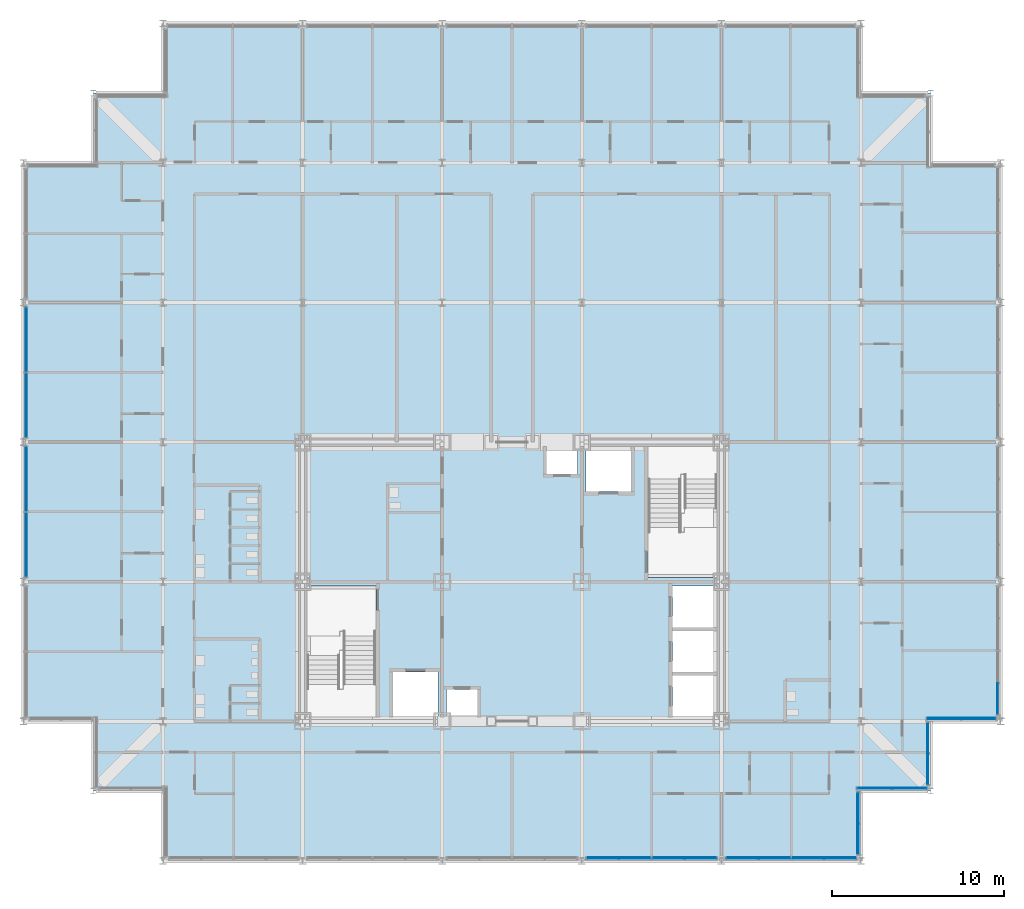
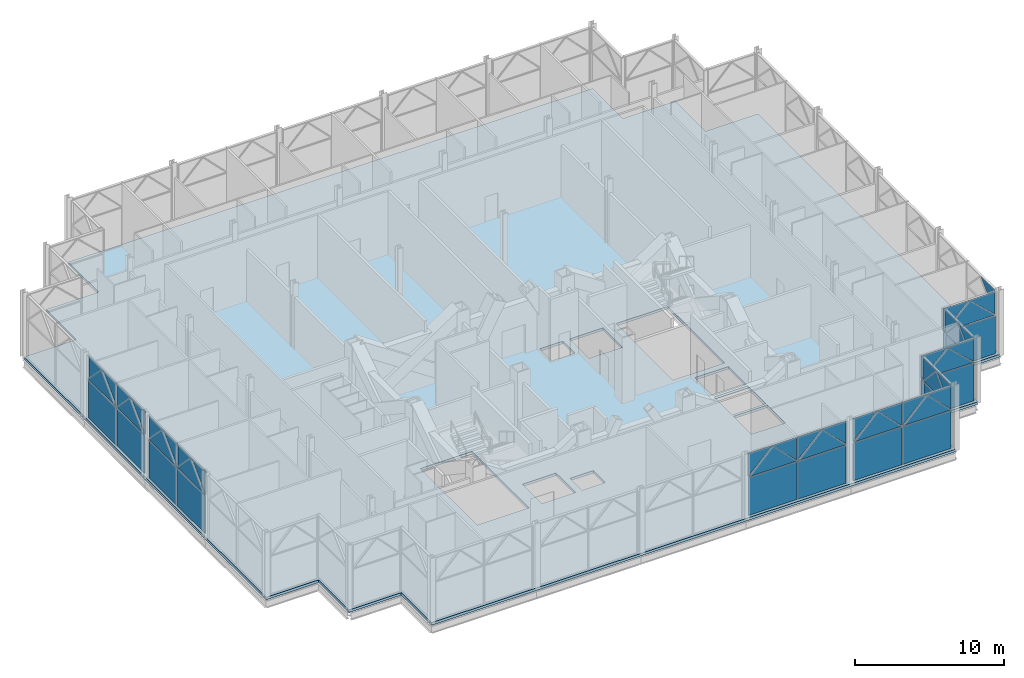
# One storey, part 15 of 26: 49 plates, 1 slab, 9 elements without a shape of their own.
"""IFC4 building model written with IfcOpenShell, lengths in metres."""

from ifc_helpers import new_model, si_unit, direction, frame, origin, origin_2d, place, context, subcontext, project, spatial, polyline, rectangle, outline, extrude, material, layer, layer_set, type_object, element, aggregate, save


model = new_model("IFC4")

# Units and contexts
model_context = context("Model", 3, precision=1e-05, world=origin(), true_north=direction((0.0, 1.0)))
body_context = subcontext(model_context, "Body", "Model", "MODEL_VIEW")
ifc_project = project(units=[si_unit("LENGTHUNIT", "METRE"), si_unit("AREAUNIT", "SQUARE_METRE"), si_unit("VOLUMEUNIT", "CUBIC_METRE"), si_unit("PLANEANGLEUNIT", "RADIAN"), si_unit("MASSUNIT", "GRAM", prefix="KILO")], contexts=[model_context])

# Site, building, storey
site_placement = place(None, origin())
site = spatial("IfcSite", under=ifc_project, at=site_placement, CompositionType="ELEMENT")
building_placement = place(site_placement, origin())
building = spatial("IfcBuilding", under=site, at=building_placement, Name="Kopane Lantern Tower", CompositionType="ELEMENT")
storey_placement = place(building_placement, frame((0.0, 0.0, 293.10009765625)))
storey = spatial("IfcBuildingStorey", under=building, at=storey_placement, Name="L75", CompositionType="ELEMENT", Elevation=293.10009765625)

# Curtain wall, plates
ifc_material_1 = material(Name="Aluminium and clear glass", Category="aluminium")
curtain_wall_type = type_object("IfcCurtainWallType", Name="CURTAIN WALL CW5 SKY RESTAURANT", PredefinedType="USERDEFINED", material=ifc_material_1)
curtain_wall_1_placement = place(storey_placement, origin())
curtain_wall_1 = element("IfcCurtainWall", 1, at=curtain_wall_1_placement, inside=storey, type_object=curtain_wall_type, Name="Curtain wall CW5 S L75", ObjectType="CURTAIN WALL", PredefinedType="USERDEFINED")
ifc_material_2 = material(Name="Insulated clear glass unit", Category="glass")
ifc_layer_1 = layer(ifc_material_2, 0.035888671875)
ifc_layer_set_1 = layer_set([ifc_layer_1], Name="CURTAIN PANEL CW5-P 36")
plate_type = type_object("IfcPlateType", Name="CURTAIN PANEL CW5-P 36", PredefinedType="CURTAIN_PANEL", material=ifc_layer_set_1)
plate_1_placement = place(storey_placement, frame((34.5458984375, 16.35009765625, 0.0751953125), z_axis=(0.0, 0.0, 1.0), x_axis=(1.0, 0.0, 0.0)))
plate_1 = element("IfcPlate", 2, at=plate_1_placement, type_object=plate_type, Name="CW5 panel 1.1", PredefinedType="CURTAIN_PANEL", context=body_context, shape_type="SweptSolid", body=[
    extrude(rectangle(XDim=3.73291015625, YDim=0.035888671875, at=origin_2d()), origin(), (0.0, 0.0, 1.0), 3.077392578125),
])
plate_2_placement = place(storey_placement, frame((38.35400390625, 16.35009765625, 0.0751953125), z_axis=(0.0, 0.0, 1.0), x_axis=(1.0, 0.0, 0.0)))
plate_2 = element("IfcPlate", 3, at=plate_2_placement, type_object=plate_type, Name="CW5 panel 2.1", PredefinedType="CURTAIN_PANEL", context=body_context, shape_type="SweptSolid", body=[
    extrude(rectangle(XDim=3.73291015625, YDim=0.035888671875, at=origin_2d()), origin(), (0.0, 0.0, 1.0), 3.077392578125),
])
plate_3_placement = place(storey_placement, frame((32.679443359375, 16.35009765625, 3.227294921875), z_axis=(0.0, 0.0, 1.0), x_axis=(1.0, 0.0, 0.0)))
plate_3 = element("IfcPlate", 4, at=plate_3_placement, type_object=plate_type, Name="CW5 lancet panel 1", PredefinedType="CURTAIN_PANEL", context=body_context, shape_type="SweptSolid", body=[
    extrude(outline(polyline([(0.0, 0.0), (3.733154296875, 0.0), (3.73291015625, 0.001220703125), (1.866455078125, 1.888916015625), (0.0, 0.001220703125), (0.0, 0.0)])), frame((0.0, 0.01806640625, 0.0), z_axis=(0.0, -1.0, 0.0), x_axis=(1.0, 0.0, 0.0)), (0.0, 0.0, 1.0), 0.035888671875),
])
plate_4_placement = place(storey_placement, frame((32.679443359375, 16.387939453125, 5.114990234375), z_axis=(0.0, 0.0, 1.0), x_axis=(1.0, 0.0, 0.0)))
plate_4 = element("IfcPlate", 5, at=plate_4_placement, type_object=plate_type, Name="CW5 spandrel panel 1L", PredefinedType="CURTAIN_PANEL", context=body_context, shape_type="SweptSolid", body=[
    extrude(outline(polyline([(0.0, 0.0), (1.866455078125, 0.0), (1.866455078125, -0.0009765625), (0.0, -1.8349609375), (0.0, 0.0)])), frame((0.0, 0.01806640625, 0.0), z_axis=(0.0, -1.0, 0.0), x_axis=(1.0, 0.0, 0.0)), (0.0, 0.0, 1.0), 0.035888671875),
])
plate_5_placement = place(storey_placement, frame((36.41259765625, 16.387939453125, 5.114990234375), z_axis=(0.0, 0.0, 1.0), x_axis=(-1.0, 0.0, 0.0)))
plate_5 = element("IfcPlate", 6, at=plate_5_placement, type_object=plate_type, Name="CW5 spandrel panel 1R", PredefinedType="CURTAIN_PANEL", context=body_context, shape_type="SweptSolid", body=[
    extrude(outline(polyline([(0.0, 0.0), (1.86669921875, 0.0), (1.866455078125, -0.0009765625), (0.0, -1.8349609375), (0.0, 0.0)])), frame((0.0, 0.01806640625, 0.0), z_axis=(0.0, -1.0, 0.0), x_axis=(1.0, 0.0, 0.0)), (0.0, 0.0, 1.0), 0.035888671875),
])
plate_6_placement = place(storey_placement, frame((36.487548828125, 16.35009765625, 3.227294921875), z_axis=(0.0, 0.0, 1.0), x_axis=(1.0, 0.0, 0.0)))
plate_6 = element("IfcPlate", 7, at=plate_6_placement, type_object=plate_type, Name="CW5 lancet panel 2", PredefinedType="CURTAIN_PANEL", context=body_context, shape_type="SweptSolid", body=[
    extrude(outline(polyline([(0.0, 0.0), (3.73291015625, 0.0), (3.73291015625, 0.001220703125), (1.866455078125, 1.888916015625), (0.0, 0.001220703125), (0.0, 0.0)])), frame((0.0, 0.01806640625, 0.0), z_axis=(0.0, -1.0, 0.0), x_axis=(1.0, 0.0, 0.0)), (0.0, 0.0, 1.0), 0.035888671875),
])
plate_7_placement = place(storey_placement, frame((36.487548828125, 16.387939453125, 5.114990234375), z_axis=(0.0, 0.0, 1.0), x_axis=(1.0, 0.0, 0.0)))
plate_7 = element("IfcPlate", 8, at=plate_7_placement, type_object=plate_type, Name="CW5 spandrel panel 2L", PredefinedType="CURTAIN_PANEL", context=body_context, shape_type="SweptSolid", body=[
    extrude(outline(polyline([(0.0, 0.0), (1.866455078125, 0.0), (1.866455078125, -0.0009765625), (0.0, -1.8349609375), (0.0, 0.0)])), frame((0.0, 0.01806640625, 0.0), z_axis=(0.0, -1.0, 0.0), x_axis=(1.0, 0.0, 0.0)), (0.0, 0.0, 1.0), 0.035888671875),
])
plate_8_placement = place(storey_placement, frame((40.220458984375, 16.387939453125, 5.114990234375), z_axis=(0.0, 0.0, 1.0), x_axis=(-1.0, 0.0, 0.0)))
plate_8 = element("IfcPlate", 9, at=plate_8_placement, type_object=plate_type, Name="CW5 spandrel panel 2R", PredefinedType="CURTAIN_PANEL", context=body_context, shape_type="SweptSolid", body=[
    extrude(outline(polyline([(0.0, 0.0), (1.866455078125, 0.0), (1.866455078125, -0.0009765625), (0.0, -1.8349609375), (0.0, 0.0)])), frame((0.0, 0.01806640625, 0.0), z_axis=(0.0, -1.0, 0.0), x_axis=(1.0, 0.0, 0.0)), (0.0, 0.0, 1.0), 0.035888671875),
])
aggregate(curtain_wall_1, [plate_1, plate_2, plate_3, plate_4, plate_5, plate_6, plate_7, plate_8])

curtain_wall_2_placement = place(storey_placement, origin())
curtain_wall_2 = element("IfcCurtainWall", 10, at=curtain_wall_2_placement, inside=storey, type_object=curtain_wall_type, Name="Curtain wall CW5 S L75", ObjectType="CURTAIN WALL", PredefinedType="USERDEFINED")
plate_9_placement = place(storey_placement, frame((42.64599609375, 16.35009765625, 0.0751953125), z_axis=(0.0, 0.0, 1.0), x_axis=(1.0, 0.0, 0.0)))
plate_9 = element("IfcPlate", 11, at=plate_9_placement, type_object=plate_type, Name="CW5 panel 1.1", PredefinedType="CURTAIN_PANEL", context=body_context, shape_type="SweptSolid", body=[
    extrude(rectangle(XDim=3.73291015625, YDim=0.035888671875, at=origin_2d()), origin(), (0.0, 0.0, 1.0), 3.077392578125),
])
plate_10_placement = place(storey_placement, frame((46.4541015625, 16.35009765625, 0.0751953125), z_axis=(0.0, 0.0, 1.0), x_axis=(1.0, 0.0, 0.0)))
plate_10 = element("IfcPlate", 12, at=plate_10_placement, type_object=plate_type, Name="CW5 panel 2.1", PredefinedType="CURTAIN_PANEL", context=body_context, shape_type="SweptSolid", body=[
    extrude(rectangle(XDim=3.73291015625, YDim=0.035888671875, at=origin_2d()), origin(), (0.0, 0.0, 1.0), 3.077392578125),
])
plate_11_placement = place(storey_placement, frame((40.779541015625, 16.35009765625, 3.227294921875), z_axis=(0.0, 0.0, 1.0), x_axis=(1.0, 0.0, 0.0)))
plate_11 = element("IfcPlate", 13, at=plate_11_placement, type_object=plate_type, Name="CW5 lancet panel 1", PredefinedType="CURTAIN_PANEL", context=body_context, shape_type="SweptSolid", body=[
    extrude(outline(polyline([(0.0, 0.0), (3.73291015625, 0.0), (3.73291015625, 0.001220703125), (1.866455078125, 1.888916015625), (0.0, 0.001220703125), (0.0, 0.0)])), frame((0.0, 0.01806640625, 0.0), z_axis=(0.0, -1.0, 0.0), x_axis=(1.0, 0.0, 0.0)), (0.0, 0.0, 1.0), 0.035888671875),
])
plate_12_placement = place(storey_placement, frame((40.779541015625, 16.387939453125, 5.114990234375), z_axis=(0.0, 0.0, 1.0), x_axis=(1.0, 0.0, 0.0)))
plate_12 = element("IfcPlate", 14, at=plate_12_placement, type_object=plate_type, Name="CW5 spandrel panel 1L", PredefinedType="CURTAIN_PANEL", context=body_context, shape_type="SweptSolid", body=[
    extrude(outline(polyline([(0.0, 0.0), (1.866455078125, 0.0), (1.866455078125, -0.0009765625), (0.0, -1.8349609375), (0.0, 0.0)])), frame((0.0, 0.01806640625, 0.0), z_axis=(0.0, -1.0, 0.0), x_axis=(1.0, 0.0, 0.0)), (0.0, 0.0, 1.0), 0.035888671875),
])
plate_13_placement = place(storey_placement, frame((44.512451171875, 16.387939453125, 5.114990234375), z_axis=(0.0, 0.0, 1.0), x_axis=(-1.0, 0.0, 0.0)))
plate_13 = element("IfcPlate", 15, at=plate_13_placement, type_object=plate_type, Name="CW5 spandrel panel 1R", PredefinedType="CURTAIN_PANEL", context=body_context, shape_type="SweptSolid", body=[
    extrude(outline(polyline([(0.0, 0.0), (1.866455078125, 0.0), (1.866455078125, -0.0009765625), (0.0, -1.8349609375), (0.0, 0.0)])), frame((0.0, 0.01806640625, 0.0), z_axis=(0.0, -1.0, 0.0), x_axis=(1.0, 0.0, 0.0)), (0.0, 0.0, 1.0), 0.035888671875),
])
plate_14_placement = place(storey_placement, frame((44.58740234375, 16.35009765625, 3.227294921875), z_axis=(0.0, 0.0, 1.0), x_axis=(1.0, 0.0, 0.0)))
plate_14 = element("IfcPlate", 16, at=plate_14_placement, type_object=plate_type, Name="CW5 lancet panel 2", PredefinedType="CURTAIN_PANEL", context=body_context, shape_type="SweptSolid", body=[
    extrude(outline(polyline([(0.0, 0.0), (3.733154296875, 0.0), (3.73291015625, 0.001220703125), (1.866455078125, 1.888916015625), (0.0, 0.001220703125), (0.0, 0.0)])), frame((0.0, 0.01806640625, 0.0), z_axis=(0.0, -1.0, 0.0), x_axis=(1.0, 0.0, 0.0)), (0.0, 0.0, 1.0), 0.035888671875),
])
plate_15_placement = place(storey_placement, frame((44.58740234375, 16.387939453125, 5.114990234375), z_axis=(0.0, 0.0, 1.0), x_axis=(1.0, 0.0, 0.0)))
plate_15 = element("IfcPlate", 17, at=plate_15_placement, type_object=plate_type, Name="CW5 spandrel panel 2L", PredefinedType="CURTAIN_PANEL", context=body_context, shape_type="SweptSolid", body=[
    extrude(outline(polyline([(0.0, 0.0), (1.86669921875, 0.0), (1.866455078125, -0.0009765625), (0.0, -1.8349609375), (0.0, 0.0)])), frame((0.0, 0.01806640625, 0.0), z_axis=(0.0, -1.0, 0.0), x_axis=(1.0, 0.0, 0.0)), (0.0, 0.0, 1.0), 0.035888671875),
])
plate_16_placement = place(storey_placement, frame((48.320556640625, 16.387939453125, 5.114990234375), z_axis=(0.0, 0.0, 1.0), x_axis=(-1.0, 0.0, 0.0)))
plate_16 = element("IfcPlate", 18, at=plate_16_placement, type_object=plate_type, Name="CW5 spandrel panel 2R", PredefinedType="CURTAIN_PANEL", context=body_context, shape_type="SweptSolid", body=[
    extrude(outline(polyline([(0.0, 0.0), (1.866455078125, 0.0), (1.866455078125, -0.0009765625), (0.0, -1.8349609375), (0.0, 0.0)])), frame((0.0, 0.01806640625, 0.0), z_axis=(0.0, -1.0, 0.0), x_axis=(1.0, 0.0, 0.0)), (0.0, 0.0, 1.0), 0.035888671875),
])
aggregate(curtain_wall_2, [plate_9, plate_10, plate_11, plate_12, plate_13, plate_14, plate_15, plate_16])

curtain_wall_3_placement = place(storey_placement, origin())
curtain_wall_3 = element("IfcCurtainWall", 19, at=curtain_wall_3_placement, inside=storey, type_object=curtain_wall_type, Name="Curtain wall CW5 E L75", ObjectType="CURTAIN WALL", PredefinedType="USERDEFINED")
plate_17_placement = place(storey_placement, frame((48.449951171875, 18.375, 0.0751953125), z_axis=(0.0, 0.0, 1.0), x_axis=(0.0, 1.0, 0.0)))
plate_17 = element("IfcPlate", 20, at=plate_17_placement, type_object=plate_type, Name="CW5 panel 1.1", PredefinedType="CURTAIN_PANEL", context=body_context, shape_type="SweptSolid", body=[
    extrude(rectangle(XDim=3.60009765625, YDim=0.035888671875, at=origin_2d()), origin(), (0.0, 0.0, 1.0), 3.077392578125),
])
plate_18_placement = place(storey_placement, frame((48.449951171875, 16.574951171875, 3.227294921875), z_axis=(0.0, 0.0, 1.0), x_axis=(0.0, 1.0, 0.0)))
plate_18 = element("IfcPlate", 21, at=plate_18_placement, type_object=plate_type, Name="CW5 lancet panel 1", PredefinedType="CURTAIN_PANEL", context=body_context, shape_type="SweptSolid", body=[
    extrude(outline(polyline([(0.0, 0.0), (3.60009765625, 0.0), (3.60009765625, 0.001220703125), (1.800048828125, 1.89306640625), (0.0, 0.001220703125), (0.0, 0.0)])), frame((0.0, 0.01806640625, 0.0), z_axis=(0.0, -1.0, 0.0), x_axis=(1.0, 0.0, 0.0)), (0.0, 0.0, 1.0), 0.035888671875),
])
plate_19_placement = place(storey_placement, frame((48.412109375, 16.574951171875, 5.114990234375), z_axis=(0.0, 0.0, 1.0), x_axis=(0.0, 1.0, 0.0)))
plate_19 = element("IfcPlate", 22, at=plate_19_placement, type_object=plate_type, Name="CW5 spandrel panel 1L", PredefinedType="CURTAIN_PANEL", context=body_context, shape_type="SweptSolid", body=[
    extrude(outline(polyline([(0.0, 0.0), (1.800048828125, 0.0), (1.800048828125, -0.0009765625), (0.0, -1.8359375), (0.0, 0.0)])), frame((0.0, 0.01806640625, 0.0), z_axis=(0.0, -1.0, 0.0), x_axis=(1.0, 0.0, 0.0)), (0.0, 0.0, 1.0), 0.035888671875),
])
plate_20_placement = place(storey_placement, frame((48.412109375, 20.175048828125, 5.114990234375), z_axis=(0.0, 0.0, 1.0), x_axis=(0.0, -1.0, 0.0)))
plate_20 = element("IfcPlate", 23, at=plate_20_placement, type_object=plate_type, Name="CW5 spandrel panel 1R", PredefinedType="CURTAIN_PANEL", context=body_context, shape_type="SweptSolid", body=[
    extrude(outline(polyline([(0.0, 0.0), (1.800048828125, 0.0), (1.800048828125, -0.0009765625), (0.0, -1.8359375), (0.0, 0.0)])), frame((0.0, 0.01806640625, 0.0), z_axis=(0.0, -1.0, 0.0), x_axis=(1.0, 0.0, 0.0)), (0.0, 0.0, 1.0), 0.035888671875),
])
aggregate(curtain_wall_3, [plate_17, plate_18, plate_19, plate_20])

curtain_wall_4_placement = place(storey_placement, origin())
curtain_wall_4 = element("IfcCurtainWall", 24, at=curtain_wall_4_placement, inside=storey, type_object=curtain_wall_type, Name="Curtain wall CW5 S L75", ObjectType="CURTAIN WALL", PredefinedType="USERDEFINED")
plate_21_placement = place(storey_placement, frame((50.395751953125, 20.39990234375, 0.0751953125), z_axis=(0.0, 0.0, 1.0), x_axis=(1.0, 0.0, 0.0)))
plate_21 = element("IfcPlate", 25, at=plate_21_placement, type_object=plate_type, Name="CW5 panel 1.1", PredefinedType="CURTAIN_PANEL", context=body_context, shape_type="SweptSolid", body=[
    extrude(rectangle(XDim=4.041259765625, YDim=0.035888671875, at=origin_2d()), origin(), (0.0, 0.0, 1.0), 3.077392578125),
])
plate_22_placement = place(storey_placement, frame((48.375, 20.39990234375, 3.227294921875), z_axis=(0.0, 0.0, 1.0), x_axis=(1.0, 0.0, 0.0)))
plate_22 = element("IfcPlate", 26, at=plate_22_placement, type_object=plate_type, Name="CW5 lancet panel 1", PredefinedType="CURTAIN_PANEL", context=body_context, shape_type="SweptSolid", body=[
    extrude(outline(polyline([(0.0, 0.0), (4.041259765625, 0.0), (4.041259765625, 0.001220703125), (2.020751953125, 1.880126953125), (0.0, 0.001220703125), (0.0, 0.0)])), frame((0.0, 0.01806640625, 0.0), z_axis=(0.0, -1.0, 0.0), x_axis=(1.0, 0.0, 0.0)), (0.0, 0.0, 1.0), 0.035888671875),
])
plate_23_placement = place(storey_placement, frame((48.375, 20.43798828125, 5.114990234375), z_axis=(0.0, 0.0, 1.0), x_axis=(1.0, 0.0, 0.0)))
plate_23 = element("IfcPlate", 27, at=plate_23_placement, type_object=plate_type, Name="CW5 spandrel panel 1L", PredefinedType="CURTAIN_PANEL", context=body_context, shape_type="SweptSolid", body=[
    extrude(outline(polyline([(0.0, 0.0), (2.020751953125, 0.0), (2.020751953125, -0.0009765625), (0.0, -1.832763671875), (0.0, 0.0)])), frame((0.0, 0.01806640625, 0.0), z_axis=(0.0, -1.0, 0.0), x_axis=(1.0, 0.0, 0.0)), (0.0, 0.0, 1.0), 0.035888671875),
])
plate_24_placement = place(storey_placement, frame((52.416259765625, 20.43798828125, 5.114990234375), z_axis=(0.0, 0.0, 1.0), x_axis=(-1.0, 0.0, 0.0)))
plate_24 = element("IfcPlate", 28, at=plate_24_placement, type_object=plate_type, Name="CW5 spandrel panel 1R", PredefinedType="CURTAIN_PANEL", context=body_context, shape_type="SweptSolid", body=[
    extrude(outline(polyline([(0.0, 0.0), (2.0205078125, 0.0), (2.020751953125, -0.0009765625), (0.0, -1.832763671875), (0.0, 0.0)])), frame((0.0, 0.01806640625, 0.0), z_axis=(0.0, -1.0, 0.0), x_axis=(1.0, 0.0, 0.0)), (0.0, 0.0, 1.0), 0.035888671875),
])
aggregate(curtain_wall_4, [plate_21, plate_22, plate_23, plate_24])

curtain_wall_5_placement = place(storey_placement, origin())
curtain_wall_5 = element("IfcCurtainWall", 29, at=curtain_wall_5_placement, inside=storey, type_object=curtain_wall_type, Name="Curtain wall CW5 E L75", ObjectType="CURTAIN WALL", PredefinedType="USERDEFINED")
plate_25_placement = place(storey_placement, frame((52.5, 22.425048828125, 0.0751953125), z_axis=(0.0, 0.0, 1.0), x_axis=(0.0, 1.0, 0.0)))
plate_25 = element("IfcPlate", 30, at=plate_25_placement, type_object=plate_type, Name="CW5 panel 1.1", PredefinedType="CURTAIN_PANEL", context=body_context, shape_type="SweptSolid", body=[
    extrude(rectangle(XDim=3.60009765625, YDim=0.035888671875, at=origin_2d()), origin(), (0.0, 0.0, 1.0), 3.077392578125),
])
plate_26_placement = place(storey_placement, frame((52.5, 20.625, 3.227294921875), z_axis=(0.0, 0.0, 1.0), x_axis=(0.0, 1.0, 0.0)))
plate_26 = element("IfcPlate", 31, at=plate_26_placement, type_object=plate_type, Name="CW5 lancet panel 1", PredefinedType="CURTAIN_PANEL", context=body_context, shape_type="SweptSolid", body=[
    extrude(outline(polyline([(0.0, 0.0), (3.60009765625, 0.0), (3.60009765625, 0.001220703125), (1.800048828125, 1.89306640625), (0.0, 0.001220703125), (0.0, 0.0)])), frame((0.0, 0.01806640625, 0.0), z_axis=(0.0, -1.0, 0.0), x_axis=(1.0, 0.0, 0.0)), (0.0, 0.0, 1.0), 0.035888671875),
])
plate_27_placement = place(storey_placement, frame((52.4619140625, 20.625, 5.114990234375), z_axis=(0.0, 0.0, 1.0), x_axis=(0.0, 1.0, 0.0)))
plate_27 = element("IfcPlate", 32, at=plate_27_placement, type_object=plate_type, Name="CW5 spandrel panel 1L", PredefinedType="CURTAIN_PANEL", context=body_context, shape_type="SweptSolid", body=[
    extrude(outline(polyline([(0.0, 0.0), (1.800048828125, 0.0), (1.800048828125, -0.0009765625), (0.0, -1.8359375), (0.0, 0.0)])), frame((0.0, 0.01806640625, 0.0), z_axis=(0.0, -1.0, 0.0), x_axis=(1.0, 0.0, 0.0)), (0.0, 0.0, 1.0), 0.035888671875),
])
plate_28_placement = place(storey_placement, frame((52.4619140625, 24.22509765625, 5.114990234375), z_axis=(0.0, 0.0, 1.0), x_axis=(0.0, -1.0, 0.0)))
plate_28 = element("IfcPlate", 33, at=plate_28_placement, type_object=plate_type, Name="CW5 spandrel panel 1R", PredefinedType="CURTAIN_PANEL", context=body_context, shape_type="SweptSolid", body=[
    extrude(outline(polyline([(0.0, 0.0), (1.800048828125, 0.0), (1.800048828125, -0.0009765625), (0.0, -1.8359375), (0.0, 0.0)])), frame((0.0, 0.01806640625, 0.0), z_axis=(0.0, -1.0, 0.0), x_axis=(1.0, 0.0, 0.0)), (0.0, 0.0, 1.0), 0.035888671875),
])
aggregate(curtain_wall_5, [plate_25, plate_26, plate_27, plate_28])

curtain_wall_6_placement = place(storey_placement, origin())
curtain_wall_6 = element("IfcCurtainWall", 34, at=curtain_wall_6_placement, inside=storey, type_object=curtain_wall_type, Name="Curtain wall CW5 S L75", ObjectType="CURTAIN WALL", PredefinedType="USERDEFINED")
plate_29_placement = place(storey_placement, frame((54.4228515625, 24.449951171875, 0.0751953125), z_axis=(0.0, 0.0, 1.0), x_axis=(1.0, 0.0, 0.0)))
plate_29 = element("IfcPlate", 35, at=plate_29_placement, type_object=plate_type, Name="CW5 panel 1.1", PredefinedType="CURTAIN_PANEL", context=body_context, shape_type="SweptSolid", body=[
    extrude(rectangle(XDim=3.99560546875, YDim=0.035888671875, at=origin_2d()), origin(), (0.0, 0.0, 1.0), 3.077392578125),
])
plate_30_placement = place(storey_placement, frame((52.425048828125, 24.449951171875, 3.227294921875), z_axis=(0.0, 0.0, 1.0), x_axis=(1.0, 0.0, 0.0)))
plate_30 = element("IfcPlate", 36, at=plate_30_placement, type_object=plate_type, Name="CW5 lancet panel 1", PredefinedType="CURTAIN_PANEL", context=body_context, shape_type="SweptSolid", body=[
    extrude(outline(polyline([(0.0, 0.0), (3.995361328125, 0.0), (3.99560546875, 0.001220703125), (1.997802734375, 1.88134765625), (0.0, 0.001220703125), (0.0, 0.0)])), frame((0.0, 0.01806640625, 0.0), z_axis=(0.0, -1.0, 0.0), x_axis=(1.0, 0.0, 0.0)), (0.0, 0.0, 1.0), 0.035888671875),
])
plate_31_placement = place(storey_placement, frame((52.425048828125, 24.488037109375, 5.114990234375), z_axis=(0.0, 0.0, 1.0), x_axis=(1.0, 0.0, 0.0)))
plate_31 = element("IfcPlate", 37, at=plate_31_placement, type_object=plate_type, Name="CW5 spandrel panel 1L", PredefinedType="CURTAIN_PANEL", context=body_context, shape_type="SweptSolid", body=[
    extrude(outline(polyline([(0.0, 0.0), (1.997802734375, 0.0), (1.997802734375, -0.0009765625), (0.0, -1.8330078125), (0.0, 0.0)])), frame((0.0, 0.01806640625, 0.0), z_axis=(0.0, -1.0, 0.0), x_axis=(1.0, 0.0, 0.0)), (0.0, 0.0, 1.0), 0.035888671875),
])
plate_32_placement = place(storey_placement, frame((56.42041015625, 24.488037109375, 5.114990234375), z_axis=(0.0, 0.0, 1.0), x_axis=(-1.0, 0.0, 0.0)))
plate_32 = element("IfcPlate", 38, at=plate_32_placement, type_object=plate_type, Name="CW5 spandrel panel 1R", PredefinedType="CURTAIN_PANEL", context=body_context, shape_type="SweptSolid", body=[
    extrude(outline(polyline([(0.0, 0.0), (1.99755859375, 0.0), (1.997802734375, -0.0009765625), (0.0, -1.8330078125), (0.0, 0.0)])), frame((0.0, 0.01806640625, 0.0), z_axis=(0.0, -1.0, 0.0), x_axis=(1.0, 0.0, 0.0)), (0.0, 0.0, 1.0), 0.035888671875),
])
aggregate(curtain_wall_6, [plate_29, plate_30, plate_31, plate_32])

# Curtain wall, plate
curtain_wall_7_placement = place(storey_placement, origin())
curtain_wall_7 = element("IfcCurtainWall", 39, at=curtain_wall_7_placement, inside=storey, type_object=curtain_wall_type, Name="Curtain wall CW5 E L75", ObjectType="CURTAIN WALL", PredefinedType="USERDEFINED")
plate_33_placement = place(storey_placement, frame((56.511962890625, 24.675048828125, 5.114990234375), z_axis=(0.0, 0.0, 1.0), x_axis=(0.0, 1.0, 0.0)))
plate_33 = element("IfcPlate", 40, at=plate_33_placement, type_object=plate_type, Name="CW5 spandrel panel 1L", PredefinedType="CURTAIN_PANEL", context=body_context, shape_type="SweptSolid", body=[
    extrude(outline(polyline([(0.0, 0.0), (1.84326171875, 0.0), (1.84326171875, -0.0009765625), (0.0, -1.835205078125), (0.0, 0.0)])), frame((0.0, 0.01806640625, 0.0), z_axis=(0.0, -1.0, 0.0), x_axis=(1.0, 0.0, 0.0)), (0.0, 0.0, 1.0), 0.035888671875),
])
aggregate(curtain_wall_7, [plate_33])

# Curtain wall, plates
curtain_wall_8_placement = place(storey_placement, origin())
curtain_wall_8 = element("IfcCurtainWall", 41, at=curtain_wall_8_placement, inside=storey, type_object=curtain_wall_type, Name="Curtain wall CW5 W L75", ObjectType="CURTAIN WALL", PredefinedType="USERDEFINED")
plate_34_placement = place(storey_placement, frame((0.14990234375, 46.455322265625, 0.0751953125), z_axis=(0.0, 0.0, 1.0), x_axis=(0.0, -1.0, 0.0)))
plate_34 = element("IfcPlate", 42, at=plate_34_placement, type_object=plate_type, Name="CW5 panel 1.1", PredefinedType="CURTAIN_PANEL", context=body_context, shape_type="SweptSolid", body=[
    extrude(rectangle(XDim=3.735595703125, YDim=0.035888671875, at=origin_2d()), origin(), (0.0, 0.0, 1.0), 3.077392578125),
])
plate_35_placement = place(storey_placement, frame((0.14990234375, 42.64453125, 0.0751953125), z_axis=(0.0, 0.0, 1.0), x_axis=(0.0, -1.0, 0.0)))
plate_35 = element("IfcPlate", 43, at=plate_35_placement, type_object=plate_type, Name="CW5 panel 2.1", PredefinedType="CURTAIN_PANEL", context=body_context, shape_type="SweptSolid", body=[
    extrude(rectangle(XDim=3.735595703125, YDim=0.035888671875, at=origin_2d()), origin(), (0.0, 0.0, 1.0), 3.077392578125),
])
plate_36_placement = place(storey_placement, frame((0.14990234375, 48.3232421875, 3.227294921875), z_axis=(0.0, 0.0, 1.0), x_axis=(0.0, -1.0, 0.0)))
plate_36 = element("IfcPlate", 44, at=plate_36_placement, type_object=plate_type, Name="CW5 lancet panel 1", PredefinedType="CURTAIN_PANEL", context=body_context, shape_type="SweptSolid", body=[
    extrude(outline(polyline([(0.0, 0.0), (3.73583984375, 0.0), (3.735595703125, 0.001220703125), (1.867919921875, 1.888916015625), (0.0, 0.001220703125), (0.0, 0.0)])), frame((0.0, 0.01806640625, 0.0), z_axis=(0.0, -1.0, 0.0), x_axis=(1.0, 0.0, 0.0)), (0.0, 0.0, 1.0), 0.035888671875),
])
plate_37_placement = place(storey_placement, frame((0.18798828125, 48.3232421875, 5.114990234375), z_axis=(0.0, 0.0, 1.0), x_axis=(0.0, -1.0, 0.0)))
plate_37 = element("IfcPlate", 45, at=plate_37_placement, type_object=plate_type, Name="CW5 spandrel panel 1L", PredefinedType="CURTAIN_PANEL", context=body_context, shape_type="SweptSolid", body=[
    extrude(outline(polyline([(0.0, 0.0), (1.867919921875, 0.0), (1.867919921875, -0.0009765625), (0.0, -1.8349609375), (0.0, 0.0)])), frame((0.0, 0.01806640625, 0.0), z_axis=(0.0, -1.0, 0.0), x_axis=(1.0, 0.0, 0.0)), (0.0, 0.0, 1.0), 0.035888671875),
])
plate_38_placement = place(storey_placement, frame((0.18798828125, 44.58740234375, 5.114990234375), z_axis=(0.0, 0.0, 1.0), x_axis=(0.0, 1.0, 0.0)))
plate_38 = element("IfcPlate", 46, at=plate_38_placement, type_object=plate_type, Name="CW5 spandrel panel 1R", PredefinedType="CURTAIN_PANEL", context=body_context, shape_type="SweptSolid", body=[
    extrude(outline(polyline([(0.0, 0.0), (1.867919921875, 0.0), (1.867919921875, -0.0009765625), (0.0, -1.8349609375), (0.0, 0.0)])), frame((0.0, 0.01806640625, 0.0), z_axis=(0.0, -1.0, 0.0), x_axis=(1.0, 0.0, 0.0)), (0.0, 0.0, 1.0), 0.035888671875),
])
plate_39_placement = place(storey_placement, frame((0.14990234375, 44.512451171875, 3.227294921875), z_axis=(0.0, 0.0, 1.0), x_axis=(0.0, -1.0, 0.0)))
plate_39 = element("IfcPlate", 47, at=plate_39_placement, type_object=plate_type, Name="CW5 lancet panel 2", PredefinedType="CURTAIN_PANEL", context=body_context, shape_type="SweptSolid", body=[
    extrude(outline(polyline([(0.0, 0.0), (3.735595703125, 0.0), (3.735595703125, 0.001220703125), (1.867919921875, 1.888916015625), (0.0, 0.001220703125), (0.0, 0.0)])), frame((0.0, 0.01806640625, 0.0), z_axis=(0.0, -1.0, 0.0), x_axis=(1.0, 0.0, 0.0)), (0.0, 0.0, 1.0), 0.035888671875),
])
plate_40_placement = place(storey_placement, frame((0.18798828125, 44.512451171875, 5.114990234375), z_axis=(0.0, 0.0, 1.0), x_axis=(0.0, -1.0, 0.0)))
plate_40 = element("IfcPlate", 48, at=plate_40_placement, type_object=plate_type, Name="CW5 spandrel panel 2L", PredefinedType="CURTAIN_PANEL", context=body_context, shape_type="SweptSolid", body=[
    extrude(outline(polyline([(0.0, 0.0), (1.867919921875, 0.0), (1.867919921875, -0.0009765625), (0.0, -1.8349609375), (0.0, 0.0)])), frame((0.0, 0.01806640625, 0.0), z_axis=(0.0, -1.0, 0.0), x_axis=(1.0, 0.0, 0.0)), (0.0, 0.0, 1.0), 0.035888671875),
])
plate_41_placement = place(storey_placement, frame((0.18798828125, 40.77685546875, 5.114990234375), z_axis=(0.0, 0.0, 1.0), x_axis=(0.0, 1.0, 0.0)))
plate_41 = element("IfcPlate", 49, at=plate_41_placement, type_object=plate_type, Name="CW5 spandrel panel 2R", PredefinedType="CURTAIN_PANEL", context=body_context, shape_type="SweptSolid", body=[
    extrude(outline(polyline([(0.0, 0.0), (1.86767578125, 0.0), (1.867919921875, -0.0009765625), (0.0, -1.8349609375), (0.0, 0.0)])), frame((0.0, 0.01806640625, 0.0), z_axis=(0.0, -1.0, 0.0), x_axis=(1.0, 0.0, 0.0)), (0.0, 0.0, 1.0), 0.035888671875),
])
aggregate(curtain_wall_8, [plate_34, plate_35, plate_36, plate_37, plate_38, plate_39, plate_40, plate_41])

curtain_wall_9_placement = place(storey_placement, origin())
curtain_wall_9 = element("IfcCurtainWall", 50, at=curtain_wall_9_placement, inside=storey, type_object=curtain_wall_type, Name="Curtain wall CW5 W L75", ObjectType="CURTAIN WALL", PredefinedType="USERDEFINED")
plate_42_placement = place(storey_placement, frame((0.14990234375, 38.35546875, 0.0751953125), z_axis=(0.0, 0.0, 1.0), x_axis=(0.0, -1.0, 0.0)))
plate_42 = element("IfcPlate", 51, at=plate_42_placement, type_object=plate_type, Name="CW5 panel 1.1", PredefinedType="CURTAIN_PANEL", context=body_context, shape_type="SweptSolid", body=[
    extrude(rectangle(XDim=3.735595703125, YDim=0.035888671875, at=origin_2d()), origin(), (0.0, 0.0, 1.0), 3.077392578125),
])
plate_43_placement = place(storey_placement, frame((0.14990234375, 34.544677734375, 0.0751953125), z_axis=(0.0, 0.0, 1.0), x_axis=(0.0, -1.0, 0.0)))
plate_43 = element("IfcPlate", 52, at=plate_43_placement, type_object=plate_type, Name="CW5 panel 2.1", PredefinedType="CURTAIN_PANEL", context=body_context, shape_type="SweptSolid", body=[
    extrude(rectangle(XDim=3.735595703125, YDim=0.035888671875, at=origin_2d()), origin(), (0.0, 0.0, 1.0), 3.077392578125),
])
plate_44_placement = place(storey_placement, frame((0.14990234375, 40.22314453125, 3.227294921875), z_axis=(0.0, 0.0, 1.0), x_axis=(0.0, -1.0, 0.0)))
plate_44 = element("IfcPlate", 53, at=plate_44_placement, type_object=plate_type, Name="CW5 lancet panel 1", PredefinedType="CURTAIN_PANEL", context=body_context, shape_type="SweptSolid", body=[
    extrude(outline(polyline([(0.0, 0.0), (3.735595703125, 0.0), (3.735595703125, 0.001220703125), (1.867919921875, 1.888916015625), (0.0, 0.001220703125), (0.0, 0.0)])), frame((0.0, 0.01806640625, 0.0), z_axis=(0.0, -1.0, 0.0), x_axis=(1.0, 0.0, 0.0)), (0.0, 0.0, 1.0), 0.035888671875),
])
plate_45_placement = place(storey_placement, frame((0.18798828125, 40.22314453125, 5.114990234375), z_axis=(0.0, 0.0, 1.0), x_axis=(0.0, -1.0, 0.0)))
plate_45 = element("IfcPlate", 54, at=plate_45_placement, type_object=plate_type, Name="CW5 spandrel panel 1L", PredefinedType="CURTAIN_PANEL", context=body_context, shape_type="SweptSolid", body=[
    extrude(outline(polyline([(0.0, 0.0), (1.86767578125, 0.0), (1.867919921875, -0.0009765625), (0.0, -1.8349609375), (0.0, 0.0)])), frame((0.0, 0.01806640625, 0.0), z_axis=(0.0, -1.0, 0.0), x_axis=(1.0, 0.0, 0.0)), (0.0, 0.0, 1.0), 0.035888671875),
])
plate_46_placement = place(storey_placement, frame((0.18798828125, 36.487548828125, 5.114990234375), z_axis=(0.0, 0.0, 1.0), x_axis=(0.0, 1.0, 0.0)))
plate_46 = element("IfcPlate", 55, at=plate_46_placement, type_object=plate_type, Name="CW5 spandrel panel 1R", PredefinedType="CURTAIN_PANEL", context=body_context, shape_type="SweptSolid", body=[
    extrude(outline(polyline([(0.0, 0.0), (1.867919921875, 0.0), (1.867919921875, -0.0009765625), (0.0, -1.8349609375), (0.0, 0.0)])), frame((0.0, 0.01806640625, 0.0), z_axis=(0.0, -1.0, 0.0), x_axis=(1.0, 0.0, 0.0)), (0.0, 0.0, 1.0), 0.035888671875),
])
plate_47_placement = place(storey_placement, frame((0.14990234375, 36.41259765625, 3.227294921875), z_axis=(0.0, 0.0, 1.0), x_axis=(0.0, -1.0, 0.0)))
plate_47 = element("IfcPlate", 56, at=plate_47_placement, type_object=plate_type, Name="CW5 lancet panel 2", PredefinedType="CURTAIN_PANEL", context=body_context, shape_type="SweptSolid", body=[
    extrude(outline(polyline([(0.0, 0.0), (3.73583984375, 0.0), (3.735595703125, 0.001220703125), (1.867919921875, 1.888916015625), (0.0, 0.001220703125), (0.0, 0.0)])), frame((0.0, 0.01806640625, 0.0), z_axis=(0.0, -1.0, 0.0), x_axis=(1.0, 0.0, 0.0)), (0.0, 0.0, 1.0), 0.035888671875),
])
plate_48_placement = place(storey_placement, frame((0.18798828125, 36.41259765625, 5.114990234375), z_axis=(0.0, 0.0, 1.0), x_axis=(0.0, -1.0, 0.0)))
plate_48 = element("IfcPlate", 57, at=plate_48_placement, type_object=plate_type, Name="CW5 spandrel panel 2L", PredefinedType="CURTAIN_PANEL", context=body_context, shape_type="SweptSolid", body=[
    extrude(outline(polyline([(0.0, 0.0), (1.867919921875, 0.0), (1.867919921875, -0.0009765625), (0.0, -1.8349609375), (0.0, 0.0)])), frame((0.0, 0.01806640625, 0.0), z_axis=(0.0, -1.0, 0.0), x_axis=(1.0, 0.0, 0.0)), (0.0, 0.0, 1.0), 0.035888671875),
])
plate_49_placement = place(storey_placement, frame((0.18798828125, 32.6767578125, 5.114990234375), z_axis=(0.0, 0.0, 1.0), x_axis=(0.0, 1.0, 0.0)))
plate_49 = element("IfcPlate", 58, at=plate_49_placement, type_object=plate_type, Name="CW5 spandrel panel 2R", PredefinedType="CURTAIN_PANEL", context=body_context, shape_type="SweptSolid", body=[
    extrude(outline(polyline([(0.0, 0.0), (1.867919921875, 0.0), (1.867919921875, -0.0009765625), (0.0, -1.8349609375), (0.0, 0.0)])), frame((0.0, 0.01806640625, 0.0), z_axis=(0.0, -1.0, 0.0), x_axis=(1.0, 0.0, 0.0)), (0.0, 0.0, 1.0), 0.035888671875),
])
aggregate(curtain_wall_9, [plate_42, plate_43, plate_44, plate_45, plate_46, plate_47, plate_48, plate_49])

# Slab
ifc_material_3 = material(Name="Concrete C40/50", Category="concrete")
ifc_layer_2 = layer(ifc_material_3, 0.2099609375)
ifc_layer_set_2 = layer_set([ifc_layer_2], Name="SLAB 210 COMPOSITE")
slab_type = type_object("IfcSlabType", Name="SLAB 210 COMPOSITE", PredefinedType="FLOOR", material=ifc_layer_set_2)
slab_placement = place(storey_placement, frame((0.0, 0.0, -0.210205078125)))
element("IfcSlab", 59, at=slab_placement, inside=storey, type_object=slab_type, Name="Floor slab L75", PredefinedType="FLOOR", context=body_context, shape_type="SweptSolid", body=[
    extrude(outline(polyline([(8.10009765625, 16.199951171875), (48.60009765625, 16.199951171875), (48.60009765625, 20.25), (52.64990234375, 20.25), (52.64990234375, 24.300048828125), (56.699951171875, 24.300048828125), (56.699951171875, 56.699951171875), (52.64990234375, 56.699951171875), (52.64990234375, 60.75), (48.60009765625, 60.75), (48.60009765625, 64.800048828125), (8.10009765625, 64.800048828125), (8.10009765625, 60.75), (4.050048828125, 60.75), (4.050048828125, 56.699951171875), (0.0, 56.699951171875), (0.0, 24.300048828125), (4.050048828125, 24.300048828125), (4.050048828125, 20.25), (8.10009765625, 20.25), (8.10009765625, 16.199951171875)]), holes=[polyline([(16.449951171875, 24.550048828125), (20.449951171875, 24.550048828125), (20.449951171875, 32.14990234375), (16.449951171875, 32.14990234375), (16.449951171875, 24.550048828125)]), polyline([(36.25, 32.64990234375), (40.25, 32.64990234375), (40.25, 40.25), (36.25, 40.25), (36.25, 32.64990234375)]), polyline([(37.64990234375, 24.550048828125), (40.25, 24.550048828125), (40.25, 26.949951171875), (37.64990234375, 26.949951171875), (37.64990234375, 24.550048828125)]), polyline([(37.64990234375, 27.14990234375), (40.25, 27.14990234375), (40.25, 29.550048828125), (37.64990234375, 29.550048828125), (37.64990234375, 27.14990234375)]), polyline([(37.64990234375, 29.75), (40.25, 29.75), (40.25, 32.14990234375), (37.64990234375, 32.14990234375), (37.64990234375, 29.75)]), polyline([(21.449951171875, 24.550048828125), (24.050048828125, 24.550048828125), (24.050048828125, 27.14990234375), (21.449951171875, 27.14990234375), (21.449951171875, 24.550048828125)]), polyline([(32.64990234375, 37.64990234375), (35.25, 37.64990234375), (35.25, 40.25), (32.64990234375, 40.25), (32.64990234375, 37.64990234375)]), polyline([(24.550048828125, 24.550048828125), (26.35009765625, 24.550048828125), (26.35009765625, 26.14990234375), (24.550048828125, 26.14990234375), (24.550048828125, 24.550048828125)]), polyline([(30.35009765625, 38.64990234375), (32.14990234375, 38.64990234375), (32.14990234375, 40.25), (30.35009765625, 40.25), (30.35009765625, 38.64990234375)])]), origin(), (0.0, 0.0, 1.0), 0.210205078125),
])

save(model, "model.ifc")
